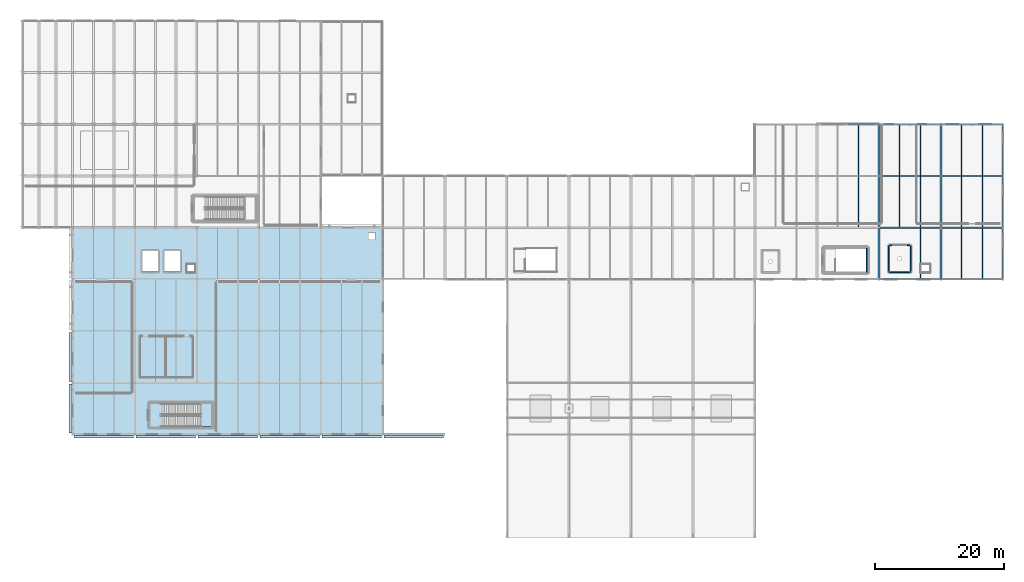
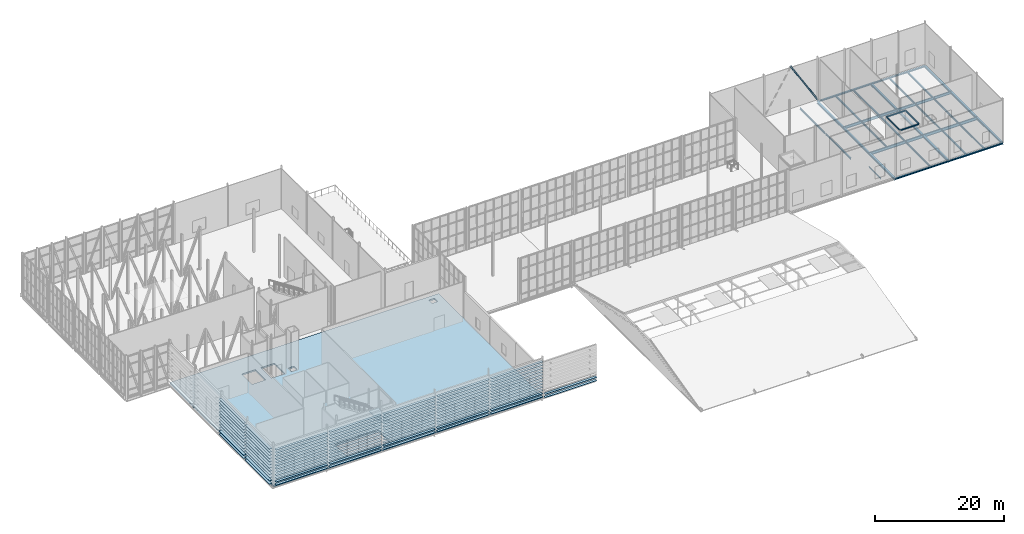
# One storey, part 46 of 73: 86 plates, 35 beams, 2 slabs, 1 member, 1 element without a shape of its own.
"""IFC4 building model written with IfcOpenShell, lengths in metres."""

from ifc_helpers import new_model, si_unit, direction, frame, origin, origin_2d, place, context, subcontext, project, spatial, polyline, rectangle, i_section, outline, extrude, material, layer, layer_set, material_profile, profile_set, type_object, element, aggregate, save


model = new_model("IFC4")

# Units and contexts
model_context = context("Model", 3, precision=1e-05, world=origin(), true_north=direction((0.0, 1.0)))
body_context = subcontext(model_context, "Body", "Model", "MODEL_VIEW")
ifc_project = project(units=[si_unit("LENGTHUNIT", "METRE"), si_unit("AREAUNIT", "SQUARE_METRE"), si_unit("VOLUMEUNIT", "CUBIC_METRE"), si_unit("PLANEANGLEUNIT", "RADIAN"), si_unit("MASSUNIT", "GRAM", prefix="KILO")], contexts=[model_context])

# Site, building, storey
site_placement = place(None, origin())
site = spatial("IfcSite", under=ifc_project, at=site_placement, CompositionType="ELEMENT")
building_placement = place(site_placement, origin())
building = spatial("IfcBuilding", under=site, at=building_placement, Name="Alderhovde Museum", CompositionType="ELEMENT")
storey_placement = place(building_placement, frame((0.0, 0.0, 17.39990234375)))
storey = spatial("IfcBuildingStorey", under=building, at=storey_placement, Name="L04", CompositionType="ELEMENT", Elevation=17.39990234375)

# Beams
ifc_material_1 = material(Name="Steel S355J2", Category="steel")
ifc_material_profile_1 = material_profile(ifc_material_1, i_section(OverallWidth=0.300048828125, OverallDepth=0.389892578125, WebThickness=0.010986328125, FlangeThickness=0.01904296875, FilletRadius=0.027099609375, at=origin_2d()), Name="HEA 400")
ifc_profile_set_1 = profile_set([ifc_material_profile_1], Name="Steel S355J2")
beam_type_1 = type_object("IfcBeamType", Name="BM-HEA400", PredefinedType="BEAM", material=ifc_profile_set_1)
for number, where, z_axis, x_axis, name in (
    (1, (134.39990234375, 72.0, -0.474853515625), (0.0, 1.0, 0.0), (-1.0, 0.0, 0.0), "L04 Grid Beam X=134.4 (72.0 TO 80.0)"),
    (2, (134.39990234375, 80.0, -0.474853515625), (0.0, 1.0, 0.0), (-1.0, 0.0, 0.0), "L04 Grid Beam X=134.4 (80.0 TO 88.0)"),
    (3, (134.39990234375, 88.0, -0.474853515625), (0.0, 1.0, 0.0), (-1.0, 0.0, 0.0), "L04 Grid Beam X=134.4 (88.0 TO 96.0)"),
    (4, (144.0, 72.0, -0.474853515625), (0.0, 1.0, 0.0), (-1.0, 0.0, 0.0), "L04 Grid Beam X=144.0 (72.0 TO 80.0)"),
    (5, (144.0, 80.0, -0.474853515625), (0.0, 1.0, 0.0), (-1.0, 0.0, 0.0), "L04 Grid Beam X=144.0 (80.0 TO 88.0)"),
    (6, (144.0, 88.0, -0.474853515625), (0.0, 1.0, 0.0), (-1.0, 0.0, 0.0), "L04 Grid Beam X=144.0 (88.0 TO 96.0)"),
    (7, (153.60009765625, 72.0, -0.474853515625), (0.0, 1.0, 0.0), (-1.0, 0.0, 0.0), "L04 Grid Beam X=153.6 (72.0 TO 80.0)"),
    (8, (153.60009765625, 80.0, -0.474853515625), (0.0, 1.0, 0.0), (-1.0, 0.0, 0.0), "L04 Grid Beam X=153.6 (80.0 TO 88.0)"),
    (9, (153.60009765625, 88.0, -0.474853515625), (0.0, 1.0, 0.0), (-1.0, 0.0, 0.0), "L04 Grid Beam X=153.6 (88.0 TO 96.0)"),
):
    element("IfcBeam", number, at=place(storey_placement, frame(where, z_axis=z_axis, x_axis=x_axis)), inside=storey, type_object=beam_type_1, Name=name, PredefinedType="BEAM", context=body_context, shape_type="SweptSolid", body=[
        extrude(i_section(OverallWidth=0.300048828125, OverallDepth=0.389892578125, WebThickness=0.010986328125, FlangeThickness=0.01904296875, FilletRadius=0.027099609375, at=origin_2d()), origin(), (0.0, 0.0, 1.0), 8.0),
    ])
ifc_material_2 = material(Name="Steel S355J2", Category="steel")
ifc_material_profile_2 = material_profile(ifc_material_2, i_section(OverallWidth=0.1201171875, OverallDepth=0.239990234375, WebThickness=0.006103515625, FlangeThickness=0.009765625, FilletRadius=0.014892578125, at=origin_2d()), Name="IPE 240")
ifc_profile_set_2 = profile_set([ifc_material_profile_2], Name="Steel S355J2")
beam_type_2 = type_object("IfcBeamType", Name="BM-IPE240", PredefinedType="BEAM", material=ifc_profile_set_2)
beam_1_placement = place(storey_placement, frame((132.52001953125, 73.1201171875, -0.39990234375), z_axis=(0.0, 1.0, 0.0), x_axis=(-1.0, 0.0, 0.0)))
element("IfcBeam", 10, at=beam_1_placement, inside=storey, type_object=beam_type_2, Name="L04 Stair ST4 Floor Trimmer E", PredefinedType="BEAM", context=body_context, shape_type="SweptSolid", body=[
    extrude(i_section(OverallWidth=0.1201171875, OverallDepth=0.239990234375, WebThickness=0.006103515625, FlangeThickness=0.009765625, FilletRadius=0.014892578125, at=origin_2d()), origin(), (0.0, 0.0, 1.0), 3.719970703125),
])
for number, where, z_axis, x_axis, name in (
    (11, (135.89990234375, 73.10009765625, 7.5400390625), (1.0, 0.0, 0.0), (0.0, 1.0, 0.0), "L04 Lift GL-01 Cap Beam S"),
    (12, (135.89990234375, 77.300048828125, 7.5400390625), (1.0, 0.0, 0.0), (0.0, 1.0, 0.0), "L04 Lift GL-01 Cap Beam N"),
):
    element("IfcBeam", number, at=place(storey_placement, frame(where, z_axis=z_axis, x_axis=x_axis)), inside=storey, type_object=beam_type_2, Name=name, PredefinedType="BEAM", context=body_context, shape_type="SweptSolid", body=[
        extrude(i_section(OverallWidth=0.1201171875, OverallDepth=0.239990234375, WebThickness=0.006103515625, FlangeThickness=0.009765625, FilletRadius=0.014892578125, at=origin_2d()), origin(), (0.0, 0.0, 1.0), 3.400146484375),
    ])
for number, where, z_axis, x_axis, name in (
    (13, (135.89990234375, 73.10009765625, 7.5400390625), (0.0, 1.0, 0.0), (-1.0, 0.0, 0.0), "L04 Lift GL-01 Cap Beam W"),
    (14, (139.300048828125, 73.10009765625, 7.5400390625), (0.0, 1.0, 0.0), (-1.0, 0.0, 0.0), "L04 Lift GL-01 Cap Beam E"),
):
    element("IfcBeam", number, at=place(storey_placement, frame(where, z_axis=z_axis, x_axis=x_axis)), inside=storey, type_object=beam_type_2, Name=name, PredefinedType="BEAM", context=body_context, shape_type="SweptSolid", body=[
        extrude(i_section(OverallWidth=0.1201171875, OverallDepth=0.239990234375, WebThickness=0.006103515625, FlangeThickness=0.009765625, FilletRadius=0.014892578125, at=origin_2d()), origin(), (0.0, 0.0, 1.0), 4.199951171875),
    ])
ifc_material_3 = material(Name="Steel S355J2", Category="steel")
ifc_material_profile_3 = material_profile(ifc_material_3, i_section(OverallWidth=0.199951171875, OverallDepth=0.5, WebThickness=0.01025390625, FlangeThickness=0.01611328125, FilletRadius=0.02099609375, at=origin_2d()), Name="IPE 500")
ifc_profile_set_3 = profile_set([ifc_material_profile_3], Name="Steel S355J2")
beam_type_3 = type_object("IfcBeamType", Name="BM-IPE500", PredefinedType="BEAM", material=ifc_profile_set_3)
for number, where, z_axis, x_axis, name in (
    (15, (134.39990234375, 88.0, -0.52978515625), (1.0, 0.0, 0.0), (0.0, 1.0, 0.0), "L04 Grid Beam Y=88.0 (134.4 TO 144.0)"),
    (16, (144.0, 88.0, -0.52978515625), (1.0, 0.0, 0.0), (0.0, 1.0, 0.0), "L04 Grid Beam Y=88.0 (144.0 TO 153.6)"),
):
    element("IfcBeam", number, at=place(storey_placement, frame(where, z_axis=z_axis, x_axis=x_axis)), inside=storey, type_object=beam_type_3, Name=name, PredefinedType="BEAM", context=body_context, shape_type="SweptSolid", body=[
        extrude(i_section(OverallWidth=0.199951171875, OverallDepth=0.5, WebThickness=0.01025390625, FlangeThickness=0.01611328125, FilletRadius=0.02099609375, at=origin_2d()), origin(), (0.0, 0.0, 1.0), 9.60009765625),
    ])
ifc_material_4 = material(Name="Steel S355J2", Category="steel")
ifc_material_profile_4 = material_profile(ifc_material_4, i_section(OverallWidth=0.2099609375, OverallDepth=0.550048828125, WebThickness=0.010986328125, FlangeThickness=0.01708984375, FilletRadius=0.02392578125, at=origin_2d()), Name="IPE 550")
ifc_profile_set_4 = profile_set([ifc_material_profile_4], Name="Steel S355J2")
beam_type_4 = type_object("IfcBeamType", Name="BM-IPE550", PredefinedType="BEAM", material=ifc_profile_set_4)
for number, where, z_axis, x_axis, name in (
    (17, (134.39990234375, 80.0, -0.554931640625), (1.0, 0.0, 0.0), (0.0, 1.0, 0.0), "L04 Grid Beam Y=80.0 (134.4 TO 144.0)"),
    (18, (144.0, 80.0, -0.554931640625), (1.0, 0.0, 0.0), (0.0, 1.0, 0.0), "L04 Grid Beam Y=80.0 (144.0 TO 153.6)"),
):
    element("IfcBeam", number, at=place(storey_placement, frame(where, z_axis=z_axis, x_axis=x_axis)), inside=storey, type_object=beam_type_4, Name=name, PredefinedType="BEAM", context=body_context, shape_type="SweptSolid", body=[
        extrude(i_section(OverallWidth=0.2099609375, OverallDepth=0.550048828125, WebThickness=0.010986328125, FlangeThickness=0.01708984375, FilletRadius=0.02392578125, at=origin_2d()), origin(), (0.0, 0.0, 1.0), 9.60009765625),
    ])

# Member
ifc_material_5 = material(Name="Steel S355J2", Category="steel")
ifc_material_profile_5 = material_profile(ifc_material_5, i_section(OverallWidth=0.199951171875, OverallDepth=0.18994140625, WebThickness=0.006591796875, FlangeThickness=0.010009765625, FilletRadius=0.01806640625, at=origin_2d()), Name="HEA 200")
ifc_profile_set_5 = profile_set([ifc_material_profile_5], Name="Steel S355J2")
member_type = type_object("IfcMemberType", Name="BR-HEA200", PredefinedType="BRACE", material=ifc_profile_set_5)
member_placement = place(storey_placement, frame((134.39990234375, 96.0, 0.0), z_axis=(-0.518278345896, 0.0, 0.855211994873), x_axis=(0.0, -1.0, 0.0)))
element("IfcMember", 19, at=member_placement, inside=storey, type_object=member_type, Name="L04 Chevron Brace BR-V5-N-R", PredefinedType="BRACE", context=body_context, shape_type="SweptSolid", body=[
    extrude(i_section(OverallWidth=0.199951171875, OverallDepth=0.18994140625, WebThickness=0.006591796875, FlangeThickness=0.010009765625, FilletRadius=0.01806640625, at=origin_2d()), origin(), (0.0, 0.0, 1.0), 9.260986328125),
])

# Beams
ifc_material_6 = material(Name="Steel S355J2", Category="steel")
ifc_material_profile_6 = material_profile(ifc_material_6, i_section(OverallWidth=0.159912109375, OverallDepth=0.330078125, WebThickness=0.007568359375, FlangeThickness=0.011474609375, FilletRadius=0.01806640625, at=origin_2d()), Name="IPE 330")
ifc_profile_set_6 = profile_set([ifc_material_profile_6], Name="Steel S355J2")
beam_type_5 = type_object("IfcBeamType", Name="JST-IPE330", PredefinedType="JOIST", material=ifc_profile_set_6)
beam_2_placement = place(storey_placement, frame((131.199951171875, 80.10498046875, -0.44482421875), z_axis=(0.0, 1.0, 0.0), x_axis=(-1.0, 0.0, 0.0)))
element("IfcBeam", 20, at=beam_2_placement, inside=storey, type_object=beam_type_5, Name="L04 Composite Joist X=131.2 (80.0 TO 88.0)", PredefinedType="JOIST", context=body_context, shape_type="SweptSolid", body=[
    extrude(i_section(OverallWidth=0.159912109375, OverallDepth=0.330078125, WebThickness=0.007568359375, FlangeThickness=0.011474609375, FilletRadius=0.01806640625, at=origin_2d()), origin(), (0.0, 0.0, 1.0), 7.794921875),
])
beam_3_placement = place(storey_placement, frame((131.199951171875, 88.10009765625, -0.44482421875), z_axis=(0.0, 1.0, 0.0), x_axis=(-1.0, 0.0, 0.0)))
element("IfcBeam", 21, at=beam_3_placement, inside=storey, type_object=beam_type_5, Name="L04 Composite Joist X=131.2 (88.0 TO 96.0)", PredefinedType="JOIST", context=body_context, shape_type="SweptSolid", body=[
    extrude(i_section(OverallWidth=0.159912109375, OverallDepth=0.330078125, WebThickness=0.007568359375, FlangeThickness=0.011474609375, FilletRadius=0.01806640625, at=origin_2d()), origin(), (0.0, 0.0, 1.0), 7.77001953125),
])
beam_4_placement = place(storey_placement, frame((140.800048828125, 72.1298828125, -0.44482421875), z_axis=(0.0, 1.0, 0.0), x_axis=(-1.0, 0.0, 0.0)))
element("IfcBeam", 22, at=beam_4_placement, inside=storey, type_object=beam_type_5, Name="L04 Composite Joist X=140.8 (72.0 TO 80.0)", PredefinedType="JOIST", context=body_context, shape_type="SweptSolid", body=[
    extrude(i_section(OverallWidth=0.159912109375, OverallDepth=0.330078125, WebThickness=0.007568359375, FlangeThickness=0.011474609375, FilletRadius=0.01806640625, at=origin_2d()), origin(), (0.0, 0.0, 1.0), 7.76513671875),
])
for number, where, z_axis, x_axis, name in (
    (23, (137.60009765625, 80.10498046875, -0.44482421875), (0.0, 1.0, 0.0), (-1.0, 0.0, 0.0), "L04 Composite Joist X=137.6 (80.0 TO 88.0)"),
    (24, (140.800048828125, 80.10498046875, -0.44482421875), (0.0, 1.0, 0.0), (-1.0, 0.0, 0.0), "L04 Composite Joist X=140.8 (80.0 TO 88.0)"),
):
    element("IfcBeam", number, at=place(storey_placement, frame(where, z_axis=z_axis, x_axis=x_axis)), inside=storey, type_object=beam_type_5, Name=name, PredefinedType="JOIST", context=body_context, shape_type="SweptSolid", body=[
        extrude(i_section(OverallWidth=0.159912109375, OverallDepth=0.330078125, WebThickness=0.007568359375, FlangeThickness=0.011474609375, FilletRadius=0.01806640625, at=origin_2d()), origin(), (0.0, 0.0, 1.0), 7.794921875),
    ])
for number, where, z_axis, x_axis, name in (
    (25, (137.60009765625, 88.10009765625, -0.44482421875), (0.0, 1.0, 0.0), (-1.0, 0.0, 0.0), "L04 Composite Joist X=137.6 (88.0 TO 96.0)"),
    (26, (140.800048828125, 88.10009765625, -0.44482421875), (0.0, 1.0, 0.0), (-1.0, 0.0, 0.0), "L04 Composite Joist X=140.8 (88.0 TO 96.0)"),
):
    element("IfcBeam", number, at=place(storey_placement, frame(where, z_axis=z_axis, x_axis=x_axis)), inside=storey, type_object=beam_type_5, Name=name, PredefinedType="JOIST", context=body_context, shape_type="SweptSolid", body=[
        extrude(i_section(OverallWidth=0.159912109375, OverallDepth=0.330078125, WebThickness=0.007568359375, FlangeThickness=0.011474609375, FilletRadius=0.01806640625, at=origin_2d()), origin(), (0.0, 0.0, 1.0), 7.77001953125),
    ])
for number, where, z_axis, x_axis, name in (
    (27, (147.199951171875, 72.1298828125, -0.44482421875), (0.0, 1.0, 0.0), (-1.0, 0.0, 0.0), "L04 Composite Joist X=147.2 (72.0 TO 80.0)"),
    (28, (150.39990234375, 72.1298828125, -0.44482421875), (0.0, 1.0, 0.0), (-1.0, 0.0, 0.0), "L04 Composite Joist X=150.4 (72.0 TO 80.0)"),
):
    element("IfcBeam", number, at=place(storey_placement, frame(where, z_axis=z_axis, x_axis=x_axis)), inside=storey, type_object=beam_type_5, Name=name, PredefinedType="JOIST", context=body_context, shape_type="SweptSolid", body=[
        extrude(i_section(OverallWidth=0.159912109375, OverallDepth=0.330078125, WebThickness=0.007568359375, FlangeThickness=0.011474609375, FilletRadius=0.01806640625, at=origin_2d()), origin(), (0.0, 0.0, 1.0), 7.76513671875),
    ])
for number, where, z_axis, x_axis, name in (
    (29, (147.199951171875, 80.10498046875, -0.44482421875), (0.0, 1.0, 0.0), (-1.0, 0.0, 0.0), "L04 Composite Joist X=147.2 (80.0 TO 88.0)"),
    (30, (150.39990234375, 80.10498046875, -0.44482421875), (0.0, 1.0, 0.0), (-1.0, 0.0, 0.0), "L04 Composite Joist X=150.4 (80.0 TO 88.0)"),
):
    element("IfcBeam", number, at=place(storey_placement, frame(where, z_axis=z_axis, x_axis=x_axis)), inside=storey, type_object=beam_type_5, Name=name, PredefinedType="JOIST", context=body_context, shape_type="SweptSolid", body=[
        extrude(i_section(OverallWidth=0.159912109375, OverallDepth=0.330078125, WebThickness=0.007568359375, FlangeThickness=0.011474609375, FilletRadius=0.01806640625, at=origin_2d()), origin(), (0.0, 0.0, 1.0), 7.794921875),
    ])
for number, where, z_axis, x_axis, name in (
    (31, (147.199951171875, 88.10009765625, -0.44482421875), (0.0, 1.0, 0.0), (-1.0, 0.0, 0.0), "L04 Composite Joist X=147.2 (88.0 TO 96.0)"),
    (32, (150.39990234375, 88.10009765625, -0.44482421875), (0.0, 1.0, 0.0), (-1.0, 0.0, 0.0), "L04 Composite Joist X=150.4 (88.0 TO 96.0)"),
):
    element("IfcBeam", number, at=place(storey_placement, frame(where, z_axis=z_axis, x_axis=x_axis)), inside=storey, type_object=beam_type_5, Name=name, PredefinedType="JOIST", context=body_context, shape_type="SweptSolid", body=[
        extrude(i_section(OverallWidth=0.159912109375, OverallDepth=0.330078125, WebThickness=0.007568359375, FlangeThickness=0.011474609375, FilletRadius=0.01806640625, at=origin_2d()), origin(), (0.0, 0.0, 1.0), 7.77001953125),
    ])
ifc_material_7 = material(Name="Steel S355J2", Category="steel")
ifc_material_profile_7 = material_profile(ifc_material_7, i_section(OverallWidth=0.260009765625, OverallDepth=0.25, WebThickness=0.007568359375, FlangeThickness=0.012451171875, FilletRadius=0.02392578125, at=origin_2d()), Name="HEA 260")
ifc_profile_set_7 = profile_set([ifc_material_profile_7], Name="Steel S355J2")
beam_type_6 = type_object("IfcBeamType", Name="SPD-HEA260", PredefinedType="SPANDREL", material=ifc_profile_set_7)
for number, where, z_axis, x_axis, name in (
    (33, (134.39990234375, 72.0, -0.40478515625), (1.0, 0.0, 0.0), (0.0, 1.0, 0.0), "L04 Grid Beam Y=72.0 (134.4 TO 144.0)"),
    (34, (144.0, 72.0, -0.40478515625), (1.0, 0.0, 0.0), (0.0, 1.0, 0.0), "L04 Grid Beam Y=72.0 (144.0 TO 153.6)"),
    (35, (134.39990234375, 96.0, -0.40478515625), (1.0, 0.0, 0.0), (0.0, 1.0, 0.0), "L04 Grid Beam Y=96.0 (134.4 TO 144.0)"),
    (36, (144.0, 96.0, -0.40478515625), (1.0, 0.0, 0.0), (0.0, 1.0, 0.0), "L04 Grid Beam Y=96.0 (144.0 TO 153.6)"),
):
    element("IfcBeam", number, at=place(storey_placement, frame(where, z_axis=z_axis, x_axis=x_axis)), inside=storey, type_object=beam_type_6, Name=name, PredefinedType="SPANDREL", context=body_context, shape_type="SweptSolid", body=[
        extrude(i_section(OverallWidth=0.260009765625, OverallDepth=0.25, WebThickness=0.007568359375, FlangeThickness=0.012451171875, FilletRadius=0.02392578125, at=origin_2d()), origin(), (0.0, 0.0, 1.0), 9.60009765625),
    ])

# Plates
ifc_material_8 = material(Name="Bronze-Anodised Aluminium EN AW-6063-T6", Category="aluminium")
ifc_layer_1 = layer(ifc_material_8, 0.06494140625)
ifc_layer_set_1 = layer_set([ifc_layer_1], Name="Bronze-Anodised Aluminium EN AW-6063-T6")
plate_type = type_object("IfcPlateType", Name="LV-BLADE-450", PredefinedType="USERDEFINED", material=ifc_layer_set_1)
for number, where, z_axis, x_axis, name in (
    (37, (62.39990234375, 47.64501953125, -0.012451171875), (0.0, 0.0, 1.0), (1.0, 0.0, 0.0), "L04 Wrap-Around Horizontal Louvre 5"),
    (38, (62.39990234375, 47.64501953125, 0.587646484375), (0.0, 0.0, 1.0), (1.0, 0.0, 0.0), "L04 Wrap-Around Horizontal Louvre 6"),
):
    element("IfcPlate", number, at=place(storey_placement, frame(where, z_axis=z_axis, x_axis=x_axis)), inside=storey, type_object=plate_type, Name=name, ObjectType="LOUVRE BLADE", PredefinedType="USERDEFINED", context=body_context, shape_type="SweptSolid", body=[
        extrude(rectangle(XDim=9.199951171875, YDim=0.449951171875, at=origin_2d()), origin(), (0.0, 0.0, 1.0), 0.06494140625),
    ])
for number, where, z_axis, x_axis, name in (
    (39, (9.2451171875, 52.0, 0.267578125), (0.0, 0.0, 1.0), (0.0, 1.0, 0.0), "L04 Wrap-Around Horizontal Louvre 199"),
    (40, (9.2451171875, 52.0, 0.86767578125), (0.0, 0.0, 1.0), (0.0, 1.0, 0.0), "L04 Wrap-Around Horizontal Louvre 200"),
    (41, (9.2451171875, 52.0, 1.467529296875), (0.0, 0.0, 1.0), (0.0, 1.0, 0.0), "L04 Wrap-Around Horizontal Louvre 201"),
    (42, (9.2451171875, 52.0, 2.067626953125), (0.0, 0.0, 1.0), (0.0, 1.0, 0.0), "L04 Wrap-Around Horizontal Louvre 202"),
    (43, (9.2451171875, 52.0, 2.667724609375), (0.0, 0.0, 1.0), (0.0, 1.0, 0.0), "L04 Wrap-Around Horizontal Louvre 203"),
    (44, (9.2451171875, 52.0, 3.267578125), (0.0, 0.0, 1.0), (0.0, 1.0, 0.0), "L04 Wrap-Around Horizontal Louvre 204"),
    (45, (9.2451171875, 52.0, 3.86767578125), (0.0, 0.0, 1.0), (0.0, 1.0, 0.0), "L04 Wrap-Around Horizontal Louvre 205"),
    (46, (9.2451171875, 52.0, 4.467529296875), (0.0, 0.0, 1.0), (0.0, 1.0, 0.0), "L04 Wrap-Around Horizontal Louvre 206"),
    (47, (9.2451171875, 52.0, 5.067626953125), (0.0, 0.0, 1.0), (0.0, 1.0, 0.0), "L04 Wrap-Around Horizontal Louvre 207"),
    (48, (9.2451171875, 52.0, 5.667724609375), (0.0, 0.0, 1.0), (0.0, 1.0, 0.0), "L04 Wrap-Around Horizontal Louvre 208"),
    (49, (9.2451171875, 52.0, 6.267578125), (0.0, 0.0, 1.0), (0.0, 1.0, 0.0), "L04 Wrap-Around Horizontal Louvre 209"),
    (50, (9.2451171875, 52.0, 6.86767578125), (0.0, 0.0, 1.0), (0.0, 1.0, 0.0), "L04 Wrap-Around Horizontal Louvre 210"),
    (51, (9.2451171875, 60.0, 0.267578125), (0.0, 0.0, 1.0), (0.0, 1.0, 0.0), "L04 Wrap-Around Horizontal Louvre 211"),
    (52, (9.2451171875, 60.0, 0.86767578125), (0.0, 0.0, 1.0), (0.0, 1.0, 0.0), "L04 Wrap-Around Horizontal Louvre 212"),
    (53, (9.2451171875, 60.0, 1.467529296875), (0.0, 0.0, 1.0), (0.0, 1.0, 0.0), "L04 Wrap-Around Horizontal Louvre 213"),
    (54, (9.2451171875, 60.0, 2.067626953125), (0.0, 0.0, 1.0), (0.0, 1.0, 0.0), "L04 Wrap-Around Horizontal Louvre 214"),
    (55, (9.2451171875, 60.0, 2.667724609375), (0.0, 0.0, 1.0), (0.0, 1.0, 0.0), "L04 Wrap-Around Horizontal Louvre 215"),
    (56, (9.2451171875, 60.0, 3.267578125), (0.0, 0.0, 1.0), (0.0, 1.0, 0.0), "L04 Wrap-Around Horizontal Louvre 216"),
    (57, (9.2451171875, 60.0, 3.86767578125), (0.0, 0.0, 1.0), (0.0, 1.0, 0.0), "L04 Wrap-Around Horizontal Louvre 217"),
    (58, (9.2451171875, 60.0, 4.467529296875), (0.0, 0.0, 1.0), (0.0, 1.0, 0.0), "L04 Wrap-Around Horizontal Louvre 218"),
    (59, (9.2451171875, 60.0, 5.067626953125), (0.0, 0.0, 1.0), (0.0, 1.0, 0.0), "L04 Wrap-Around Horizontal Louvre 219"),
    (60, (9.2451171875, 60.0, 5.667724609375), (0.0, 0.0, 1.0), (0.0, 1.0, 0.0), "L04 Wrap-Around Horizontal Louvre 220"),
    (61, (9.2451171875, 60.0, 6.267578125), (0.0, 0.0, 1.0), (0.0, 1.0, 0.0), "L04 Wrap-Around Horizontal Louvre 221"),
    (62, (9.2451171875, 60.0, 6.86767578125), (0.0, 0.0, 1.0), (0.0, 1.0, 0.0), "L04 Wrap-Around Horizontal Louvre 222"),
):
    element("IfcPlate", number, at=place(storey_placement, frame(where, z_axis=z_axis, x_axis=x_axis)), inside=storey, type_object=plate_type, Name=name, ObjectType="LOUVRE BLADE", PredefinedType="USERDEFINED", context=body_context, shape_type="SweptSolid", body=[
        extrude(rectangle(XDim=7.60009765625, YDim=0.449951171875, at=origin_2d()), origin(), (0.0, 0.0, 1.0), 0.06494140625),
    ])
for number, where, z_axis, x_axis, name in (
    (63, (14.39990234375, 47.64501953125, 0.267578125), (0.0, 0.0, 1.0), (1.0, 0.0, 0.0), "L04 Wrap-Around Horizontal Louvre 247"),
    (64, (14.39990234375, 47.64501953125, 0.86767578125), (0.0, 0.0, 1.0), (1.0, 0.0, 0.0), "L04 Wrap-Around Horizontal Louvre 248"),
    (65, (14.39990234375, 47.64501953125, 1.467529296875), (0.0, 0.0, 1.0), (1.0, 0.0, 0.0), "L04 Wrap-Around Horizontal Louvre 249"),
    (66, (14.39990234375, 47.64501953125, 2.067626953125), (0.0, 0.0, 1.0), (1.0, 0.0, 0.0), "L04 Wrap-Around Horizontal Louvre 250"),
    (67, (14.39990234375, 47.64501953125, 2.667724609375), (0.0, 0.0, 1.0), (1.0, 0.0, 0.0), "L04 Wrap-Around Horizontal Louvre 251"),
    (68, (14.39990234375, 47.64501953125, 3.267578125), (0.0, 0.0, 1.0), (1.0, 0.0, 0.0), "L04 Wrap-Around Horizontal Louvre 252"),
    (69, (14.39990234375, 47.64501953125, 3.86767578125), (0.0, 0.0, 1.0), (1.0, 0.0, 0.0), "L04 Wrap-Around Horizontal Louvre 253"),
    (70, (14.39990234375, 47.64501953125, 4.467529296875), (0.0, 0.0, 1.0), (1.0, 0.0, 0.0), "L04 Wrap-Around Horizontal Louvre 254"),
    (71, (14.39990234375, 47.64501953125, 5.067626953125), (0.0, 0.0, 1.0), (1.0, 0.0, 0.0), "L04 Wrap-Around Horizontal Louvre 255"),
    (72, (14.39990234375, 47.64501953125, 5.667724609375), (0.0, 0.0, 1.0), (1.0, 0.0, 0.0), "L04 Wrap-Around Horizontal Louvre 256"),
    (73, (14.39990234375, 47.64501953125, 6.267578125), (0.0, 0.0, 1.0), (1.0, 0.0, 0.0), "L04 Wrap-Around Horizontal Louvre 257"),
    (74, (14.39990234375, 47.64501953125, 6.86767578125), (0.0, 0.0, 1.0), (1.0, 0.0, 0.0), "L04 Wrap-Around Horizontal Louvre 258"),
    (75, (24.0, 47.64501953125, 0.267578125), (0.0, 0.0, 1.0), (1.0, 0.0, 0.0), "L04 Wrap-Around Horizontal Louvre 259"),
    (76, (24.0, 47.64501953125, 0.86767578125), (0.0, 0.0, 1.0), (1.0, 0.0, 0.0), "L04 Wrap-Around Horizontal Louvre 260"),
    (77, (24.0, 47.64501953125, 1.467529296875), (0.0, 0.0, 1.0), (1.0, 0.0, 0.0), "L04 Wrap-Around Horizontal Louvre 261"),
    (78, (24.0, 47.64501953125, 2.067626953125), (0.0, 0.0, 1.0), (1.0, 0.0, 0.0), "L04 Wrap-Around Horizontal Louvre 262"),
    (79, (24.0, 47.64501953125, 2.667724609375), (0.0, 0.0, 1.0), (1.0, 0.0, 0.0), "L04 Wrap-Around Horizontal Louvre 263"),
    (80, (24.0, 47.64501953125, 3.267578125), (0.0, 0.0, 1.0), (1.0, 0.0, 0.0), "L04 Wrap-Around Horizontal Louvre 264"),
    (81, (24.0, 47.64501953125, 3.86767578125), (0.0, 0.0, 1.0), (1.0, 0.0, 0.0), "L04 Wrap-Around Horizontal Louvre 265"),
    (82, (24.0, 47.64501953125, 4.467529296875), (0.0, 0.0, 1.0), (1.0, 0.0, 0.0), "L04 Wrap-Around Horizontal Louvre 266"),
    (83, (24.0, 47.64501953125, 5.067626953125), (0.0, 0.0, 1.0), (1.0, 0.0, 0.0), "L04 Wrap-Around Horizontal Louvre 267"),
    (84, (24.0, 47.64501953125, 5.667724609375), (0.0, 0.0, 1.0), (1.0, 0.0, 0.0), "L04 Wrap-Around Horizontal Louvre 268"),
    (85, (24.0, 47.64501953125, 6.267578125), (0.0, 0.0, 1.0), (1.0, 0.0, 0.0), "L04 Wrap-Around Horizontal Louvre 269"),
    (86, (24.0, 47.64501953125, 6.86767578125), (0.0, 0.0, 1.0), (1.0, 0.0, 0.0), "L04 Wrap-Around Horizontal Louvre 270"),
    (87, (33.60009765625, 47.64501953125, 0.267578125), (0.0, 0.0, 1.0), (1.0, 0.0, 0.0), "L04 Wrap-Around Horizontal Louvre 271"),
    (88, (33.60009765625, 47.64501953125, 0.86767578125), (0.0, 0.0, 1.0), (1.0, 0.0, 0.0), "L04 Wrap-Around Horizontal Louvre 272"),
    (89, (33.60009765625, 47.64501953125, 1.467529296875), (0.0, 0.0, 1.0), (1.0, 0.0, 0.0), "L04 Wrap-Around Horizontal Louvre 273"),
    (90, (33.60009765625, 47.64501953125, 2.067626953125), (0.0, 0.0, 1.0), (1.0, 0.0, 0.0), "L04 Wrap-Around Horizontal Louvre 274"),
    (91, (33.60009765625, 47.64501953125, 2.667724609375), (0.0, 0.0, 1.0), (1.0, 0.0, 0.0), "L04 Wrap-Around Horizontal Louvre 275"),
    (92, (33.60009765625, 47.64501953125, 3.267578125), (0.0, 0.0, 1.0), (1.0, 0.0, 0.0), "L04 Wrap-Around Horizontal Louvre 276"),
    (93, (33.60009765625, 47.64501953125, 3.86767578125), (0.0, 0.0, 1.0), (1.0, 0.0, 0.0), "L04 Wrap-Around Horizontal Louvre 277"),
    (94, (33.60009765625, 47.64501953125, 4.467529296875), (0.0, 0.0, 1.0), (1.0, 0.0, 0.0), "L04 Wrap-Around Horizontal Louvre 278"),
    (95, (33.60009765625, 47.64501953125, 5.067626953125), (0.0, 0.0, 1.0), (1.0, 0.0, 0.0), "L04 Wrap-Around Horizontal Louvre 279"),
    (96, (33.60009765625, 47.64501953125, 5.667724609375), (0.0, 0.0, 1.0), (1.0, 0.0, 0.0), "L04 Wrap-Around Horizontal Louvre 280"),
    (97, (33.60009765625, 47.64501953125, 6.267578125), (0.0, 0.0, 1.0), (1.0, 0.0, 0.0), "L04 Wrap-Around Horizontal Louvre 281"),
    (98, (33.60009765625, 47.64501953125, 6.86767578125), (0.0, 0.0, 1.0), (1.0, 0.0, 0.0), "L04 Wrap-Around Horizontal Louvre 282"),
    (99, (43.199951171875, 47.64501953125, 0.267578125), (0.0, 0.0, 1.0), (1.0, 0.0, 0.0), "L04 Wrap-Around Horizontal Louvre 283"),
    (100, (43.199951171875, 47.64501953125, 0.86767578125), (0.0, 0.0, 1.0), (1.0, 0.0, 0.0), "L04 Wrap-Around Horizontal Louvre 284"),
    (101, (43.199951171875, 47.64501953125, 1.467529296875), (0.0, 0.0, 1.0), (1.0, 0.0, 0.0), "L04 Wrap-Around Horizontal Louvre 285"),
    (102, (43.199951171875, 47.64501953125, 2.067626953125), (0.0, 0.0, 1.0), (1.0, 0.0, 0.0), "L04 Wrap-Around Horizontal Louvre 286"),
    (103, (43.199951171875, 47.64501953125, 2.667724609375), (0.0, 0.0, 1.0), (1.0, 0.0, 0.0), "L04 Wrap-Around Horizontal Louvre 287"),
    (104, (43.199951171875, 47.64501953125, 3.267578125), (0.0, 0.0, 1.0), (1.0, 0.0, 0.0), "L04 Wrap-Around Horizontal Louvre 288"),
    (105, (43.199951171875, 47.64501953125, 3.86767578125), (0.0, 0.0, 1.0), (1.0, 0.0, 0.0), "L04 Wrap-Around Horizontal Louvre 289"),
    (106, (43.199951171875, 47.64501953125, 4.467529296875), (0.0, 0.0, 1.0), (1.0, 0.0, 0.0), "L04 Wrap-Around Horizontal Louvre 290"),
    (107, (43.199951171875, 47.64501953125, 5.067626953125), (0.0, 0.0, 1.0), (1.0, 0.0, 0.0), "L04 Wrap-Around Horizontal Louvre 291"),
    (108, (43.199951171875, 47.64501953125, 5.667724609375), (0.0, 0.0, 1.0), (1.0, 0.0, 0.0), "L04 Wrap-Around Horizontal Louvre 292"),
    (109, (43.199951171875, 47.64501953125, 6.267578125), (0.0, 0.0, 1.0), (1.0, 0.0, 0.0), "L04 Wrap-Around Horizontal Louvre 293"),
    (110, (43.199951171875, 47.64501953125, 6.86767578125), (0.0, 0.0, 1.0), (1.0, 0.0, 0.0), "L04 Wrap-Around Horizontal Louvre 294"),
    (111, (52.800048828125, 47.64501953125, 0.267578125), (0.0, 0.0, 1.0), (1.0, 0.0, 0.0), "L04 Wrap-Around Horizontal Louvre 295"),
    (112, (52.800048828125, 47.64501953125, 0.86767578125), (0.0, 0.0, 1.0), (1.0, 0.0, 0.0), "L04 Wrap-Around Horizontal Louvre 296"),
    (113, (52.800048828125, 47.64501953125, 1.467529296875), (0.0, 0.0, 1.0), (1.0, 0.0, 0.0), "L04 Wrap-Around Horizontal Louvre 297"),
    (114, (52.800048828125, 47.64501953125, 2.067626953125), (0.0, 0.0, 1.0), (1.0, 0.0, 0.0), "L04 Wrap-Around Horizontal Louvre 298"),
    (115, (52.800048828125, 47.64501953125, 2.667724609375), (0.0, 0.0, 1.0), (1.0, 0.0, 0.0), "L04 Wrap-Around Horizontal Louvre 299"),
    (116, (52.800048828125, 47.64501953125, 3.267578125), (0.0, 0.0, 1.0), (1.0, 0.0, 0.0), "L04 Wrap-Around Horizontal Louvre 300"),
    (117, (52.800048828125, 47.64501953125, 3.86767578125), (0.0, 0.0, 1.0), (1.0, 0.0, 0.0), "L04 Wrap-Around Horizontal Louvre 301"),
    (118, (52.800048828125, 47.64501953125, 4.467529296875), (0.0, 0.0, 1.0), (1.0, 0.0, 0.0), "L04 Wrap-Around Horizontal Louvre 302"),
    (119, (52.800048828125, 47.64501953125, 5.067626953125), (0.0, 0.0, 1.0), (1.0, 0.0, 0.0), "L04 Wrap-Around Horizontal Louvre 303"),
    (120, (52.800048828125, 47.64501953125, 5.667724609375), (0.0, 0.0, 1.0), (1.0, 0.0, 0.0), "L04 Wrap-Around Horizontal Louvre 304"),
    (121, (52.800048828125, 47.64501953125, 6.267578125), (0.0, 0.0, 1.0), (1.0, 0.0, 0.0), "L04 Wrap-Around Horizontal Louvre 305"),
    (122, (52.800048828125, 47.64501953125, 6.86767578125), (0.0, 0.0, 1.0), (1.0, 0.0, 0.0), "L04 Wrap-Around Horizontal Louvre 306"),
):
    element("IfcPlate", number, at=place(storey_placement, frame(where, z_axis=z_axis, x_axis=x_axis)), inside=storey, type_object=plate_type, Name=name, ObjectType="LOUVRE BLADE", PredefinedType="USERDEFINED", context=body_context, shape_type="SweptSolid", body=[
        extrude(rectangle(XDim=9.199951171875, YDim=0.449951171875, at=origin_2d()), origin(), (0.0, 0.0, 1.0), 0.06494140625),
    ])

# Slab
ifc_material_9 = material(Name="Concrete C35/45", Category="concrete")
ifc_layer_2 = layer(ifc_material_9, 0.280029296875)
ifc_layer_set_2 = layer_set([ifc_layer_2], Name="Concrete C35/45")
slab_type_1 = type_object("IfcSlabType", Name="SLB-FLR-280", PredefinedType="FLOOR", material=ifc_layer_set_2)
slab_1_placement = place(storey_placement, frame((0.0, 0.0, -0.27978515625)))
element("IfcSlab", 123, at=slab_1_placement, inside=storey, type_object=slab_type_1, Name="L04 VOL1 Structural Slab", PredefinedType="FLOOR", context=body_context, shape_type="SweptSolid", body=[
    extrude(outline(polyline([(9.60009765625, 48.0), (57.60009765625, 48.0), (57.60009765625, 80.0), (9.60009765625, 80.0), (9.60009765625, 48.0)]), holes=[polyline([(23.31005859375, 49.199951171875), (31.1201171875, 49.199951171875), (31.1201171875, 52.760009765625), (23.31005859375, 52.760009765625), (23.31005859375, 49.199951171875)]), polyline([(20.39990234375, 73.199951171875), (22.800048828125, 73.199951171875), (22.800048828125, 76.39990234375), (20.39990234375, 76.39990234375), (20.39990234375, 73.199951171875)]), polyline([(23.800048828125, 73.199951171875), (26.199951171875, 73.199951171875), (26.199951171875, 76.39990234375), (23.800048828125, 76.39990234375), (23.800048828125, 73.199951171875)]), polyline([(27.39990234375, 73.199951171875), (28.39990234375, 73.199951171875), (28.39990234375, 74.199951171875), (27.39990234375, 74.199951171875), (27.39990234375, 73.199951171875)]), polyline([(55.39990234375, 78.199951171875), (56.39990234375, 78.199951171875), (56.39990234375, 79.199951171875), (55.39990234375, 79.199951171875), (55.39990234375, 78.199951171875)])]), origin(), (0.0, 0.0, 1.0), 0.27978515625),
])

# Stair, slab
ifc_material_10 = material(Name="Concrete C35/45", Category="concrete")
stair_type = type_object("IfcStairType", Name="STR-1500-8400", PredefinedType="HALF_TURN_STAIR", material=ifc_material_10)
stair_placement = place(storey_placement, origin())
stair = element("IfcStair", 124, at=stair_placement, inside=storey, type_object=stair_type, Name="L04 Escape Stair ST1", PredefinedType="HALF_TURN_STAIR")
ifc_material_11 = material(Name="Concrete C35/45", Category="concrete")
ifc_layer_3 = layer(ifc_material_11, 0.199951171875)
ifc_layer_set_3 = layer_set([ifc_layer_3], Name="Concrete C35/45")
slab_type_2 = type_object("IfcSlabType", Name="SLB-LANDING-200", PredefinedType="LANDING", material=ifc_layer_set_3)
slab_2_placement = place(storey_placement, frame((0.0, 0.0, 4.0)))
slab_2 = element("IfcSlab", 125, at=slab_2_placement, type_object=slab_type_2, Name="ST1 landing 1", PredefinedType="LANDING", context=body_context, shape_type="SweptSolid", body=[
    extrude(outline(polyline([(29.43994140625, 49.199951171875), (31.1201171875, 49.199951171875), (31.1201171875, 52.760009765625), (29.43994140625, 52.760009765625), (29.43994140625, 49.199951171875)])), origin(), (0.0, 0.0, 1.0), 0.2001953125),
])
aggregate(stair, [slab_2])

save(model, "model.ifc")
